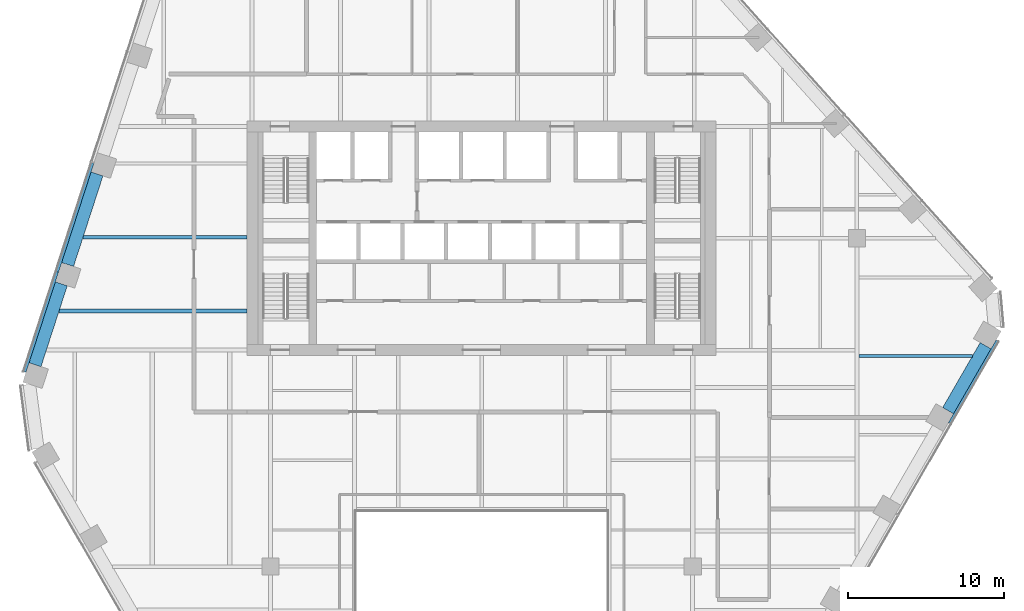
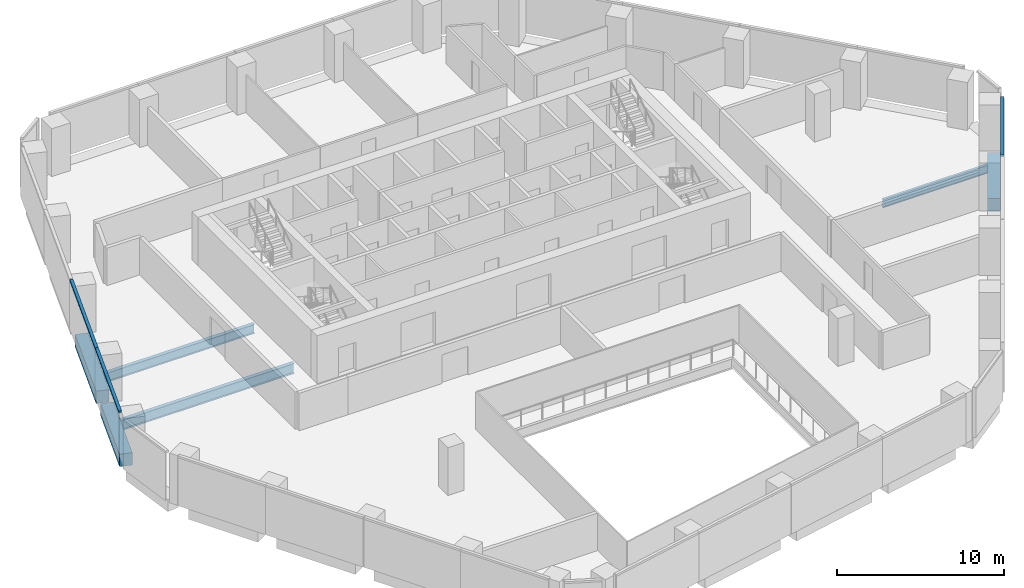
# One storey, part 6 of 16: 6 beams, 3 members, 2 elements without a shape of their own.
"""IFC4 building model written with IfcOpenShell, lengths in metres."""

from ifc_helpers import new_model, si_unit, direction, frame, origin, origin_2d, place, context, subcontext, project, spatial, rectangle, i_section, extrude, material, layer, layer_set, material_profile, profile_set, type_object, element, aggregate, save


model = new_model("IFC4")

# Units and contexts
model_context = context("Model", 3, precision=1e-05, world=origin(), true_north=direction((0.0, 1.0)))
body_context = subcontext(model_context, "Body", "Model", "MODEL_VIEW")
ifc_project = project(units=[si_unit("LENGTHUNIT", "METRE"), si_unit("AREAUNIT", "SQUARE_METRE"), si_unit("VOLUMEUNIT", "CUBIC_METRE"), si_unit("PLANEANGLEUNIT", "RADIAN"), si_unit("MASSUNIT", "GRAM", prefix="KILO")], contexts=[model_context])

# Site, building, storey
site_placement = place(None, origin())
site = spatial("IfcSite", under=ifc_project, at=site_placement, CompositionType="ELEMENT")
building_placement = place(site_placement, origin())
building = spatial("IfcBuilding", under=site, at=building_placement, Name="Isthmus Gate Tower", CompositionType="ELEMENT")
storey_placement = place(building_placement, frame((0.0, 0.0, 196.35009765625)))
storey = spatial("IfcBuildingStorey", under=building, at=storey_placement, Name="L49", CompositionType="ELEMENT", Elevation=196.35009765625)

# Curtain wall, members
ifc_material_1 = material(Name="Aluminium, pale champagne anodised", Category="aluminium")
ifc_layer = layer(ifc_material_1, 0.199951171875)
ifc_layer_set = layer_set([ifc_layer], Name="CW-1 UNITISED CURTAIN WALL 200 DEEP")
curtain_wall_type = type_object("IfcCurtainWallType", Name="CW-1 UNITISED CURTAIN WALL 200 DEEP", PredefinedType="NOTDEFINED", material=ifc_layer_set)
curtain_wall_1_placement = place(storey_placement, origin())
curtain_wall_1 = element("IfcCurtainWall", 1, at=curtain_wall_1_placement, inside=storey, type_object=curtain_wall_type, Name="CW-1 NW L49", PredefinedType="NOTDEFINED")
ifc_material_2 = material(Name="Aluminium, pale champagne anodised", Category="aluminium")
ifc_material_profile_1 = material_profile(ifc_material_2, rectangle(XDim=0.199951171875, YDim=0.139892578125, at=origin_2d()), Name="200x140")
ifc_profile_set_1 = profile_set([ifc_material_profile_1], Name="Aluminium, pale champagne anodised")
member_type = type_object("IfcMemberType", Name="CW-1 TRANSOM 200 X 140", PredefinedType="USERDEFINED", material=ifc_profile_set_1)
member_1_placement = place(storey_placement, frame((-24.896240234375, 12.33056640625, 3.579833984375), z_axis=(-0.309025074527, -0.951053890857, 0.0), x_axis=(0.951053890857, -0.309025074527, 0.0)))
member_1 = element("IfcMember", 2, at=member_1_placement, type_object=member_type, Name="CW-1 transom", ObjectType="TRANSOM", PredefinedType="USERDEFINED", context=body_context, shape_type="SweptSolid", body=[
    extrude(rectangle(XDim=0.199951171875, YDim=0.139892578125, at=origin_2d()), origin(), (0.0, 0.0, 1.0), 7.330810546875),
])
member_2_placement = place(storey_placement, frame((-27.16162109375, 5.358642578125, 3.579833984375), z_axis=(-0.309014822289, -0.951057222046, 0.0), x_axis=(0.951057222046, -0.309014822289, 0.0)))
member_2 = element("IfcMember", 3, at=member_2_placement, type_object=member_type, Name="CW-1 transom", ObjectType="TRANSOM", PredefinedType="USERDEFINED", context=body_context, shape_type="SweptSolid", body=[
    extrude(rectangle(XDim=0.199951171875, YDim=0.139892578125, at=origin_2d()), origin(), (0.0, 0.0, 1.0), 6.74072265625),
])
aggregate(curtain_wall_1, [member_1, member_2])

# Curtain wall, member
curtain_wall_2_placement = place(storey_placement, origin())
curtain_wall_2 = element("IfcCurtainWall", 4, at=curtain_wall_2_placement, inside=storey, type_object=curtain_wall_type, Name="CW-1 SE L49", PredefinedType="NOTDEFINED")
member_3_placement = place(storey_placement, frame((29.941162109375, -4.34033203125, 3.579833984375), z_axis=(0.499991521122, 0.866030299012, 0.0), x_axis=(-0.866030299012, 0.499991521122, 0.0)))
member_3 = element("IfcMember", 5, at=member_3_placement, type_object=member_type, Name="CW-1 transom", ObjectType="TRANSOM", PredefinedType="USERDEFINED", context=body_context, shape_type="SweptSolid", body=[
    extrude(rectangle(XDim=0.199951171875, YDim=0.139892578125, at=origin_2d()), origin(), (0.0, 0.0, 1.0), 6.10009765625),
])
aggregate(curtain_wall_2, [member_3])

# Beams
ifc_material_3 = material(Name="Concrete f'c 60 MPa", Category="concrete")
ifc_material_profile_2 = material_profile(ifc_material_3, rectangle(XDim=0.800048828125, YDim=0.89990234375, at=origin_2d()), Name="RC 800X900")
ifc_profile_set_2 = profile_set([ifc_material_profile_2], Name="Concrete f'c 60 MPa")
beam_type_1 = type_object("IfcBeamType", Name="RC SPANDREL 800 X 900", PredefinedType="SPANDREL", material=ifc_profile_set_2)
beam_1_placement = place(storey_placement, frame((32.2333984375, 0.629638671875, -0.4501953125), z_axis=(-0.500017431331, -0.866015339567, 0.0), x_axis=(0.866015339567, -0.500017431331, 0.0)))
element("IfcBeam", 6, at=beam_1_placement, inside=storey, type_object=beam_type_1, Name="str-spandrel-L49-06", PredefinedType="SPANDREL", context=body_context, shape_type="SweptSolid", body=[
    extrude(rectangle(XDim=0.800048828125, YDim=0.89990234375, at=origin_2d()), origin(), (0.0, 0.0, 1.0), 4.800048828125),
])
beam_2_placement = place(storey_placement, frame((-28.568115234375, -0.588623046875, -0.4501953125), z_axis=(0.308989680586, 0.95106539065, 0.0), x_axis=(-0.95106539065, 0.308989680586, 0.0)))
element("IfcBeam", 7, at=beam_2_placement, inside=storey, type_object=beam_type_1, Name="str-spandrel-L49-21", PredefinedType="SPANDREL", context=body_context, shape_type="SweptSolid", body=[
    extrude(rectangle(XDim=0.800048828125, YDim=0.89990234375, at=origin_2d()), origin(), (0.0, 0.0, 1.0), 5.44091796875),
])
beam_3_placement = place(storey_placement, frame((-26.485107421875, 5.822265625, -0.4501953125), z_axis=(0.309003593002, 0.951060870561, 0.0), x_axis=(-0.951060870561, 0.309003593002, 0.0)))
element("IfcBeam", 8, at=beam_3_placement, inside=storey, type_object=beam_type_1, Name="str-spandrel-L49-22", PredefinedType="SPANDREL", context=body_context, shape_type="SweptSolid", body=[
    extrude(rectangle(XDim=0.800048828125, YDim=0.89990234375, at=origin_2d()), origin(), (0.0, 0.0, 1.0), 6.0908203125),
])
ifc_material_4 = material(Name="Structural steel ASTM A992 Gr 50", Category="steel")
ifc_material_profile_3 = material_profile(ifc_material_4, i_section(OverallWidth=0.177734375, OverallDepth=0.60009765625, WebThickness=0.009521484375, FlangeThickness=0.0126953125, at=origin_2d()), Name="W24X55")
ifc_profile_set_3 = profile_set([ifc_material_profile_3], Name="Structural steel ASTM A992 Gr 50")
beam_type_2 = type_object("IfcBeamType", Name="STEEL FLOOR BEAM W24X55", PredefinedType="JOIST", material=ifc_profile_set_3)
beam_4_placement = place(storey_placement, frame((24.13330078125, -0.037353515625, -0.4501953125), z_axis=(1.0, 0.0, 0.0), x_axis=(0.0, 1.0, 0.0)))
element("IfcBeam", 9, at=beam_4_placement, inside=storey, type_object=beam_type_2, Name="str-beam-L49-16-01", PredefinedType="JOIST", context=body_context, shape_type="SweptSolid", body=[
    extrude(i_section(OverallWidth=0.177734375, OverallDepth=0.60009765625, WebThickness=0.009521484375, FlangeThickness=0.0126953125, at=origin_2d()), origin(), (0.0, 0.0, 1.0), 7.2529296875),
])
ifc_material_5 = material(Name="Structural steel ASTM A992 Gr 50", Category="steel")
ifc_material_profile_4 = material_profile(ifc_material_5, i_section(OverallWidth=0.25390625, OverallDepth=0.679443359375, WebThickness=0.010986328125, FlangeThickness=0.015869140625, at=origin_2d()), Name="W27X84")
ifc_profile_set_4 = profile_set([ifc_material_profile_4], Name="Structural steel ASTM A992 Gr 50")
beam_type_3 = type_object("IfcBeamType", Name="STEEL FLOOR BEAM W27X84", PredefinedType="JOIST", material=ifc_profile_set_4)
beam_5_placement = place(storey_placement, frame((-25.498046875, 7.56591796875, -0.48974609375), z_axis=(1.0, 0.0, 0.0), x_axis=(0.0, 1.0, 0.0)))
element("IfcBeam", 10, at=beam_5_placement, inside=storey, type_object=beam_type_3, Name="str-beam-L49-01-01", PredefinedType="JOIST", context=body_context, shape_type="SweptSolid", body=[
    extrude(i_section(OverallWidth=0.25390625, OverallDepth=0.679443359375, WebThickness=0.010986328125, FlangeThickness=0.015869140625, at=origin_2d()), origin(), (0.0, 0.0, 1.0), 10.498046875),
])
ifc_material_6 = material(Name="Structural steel ASTM A992 Gr 50", Category="steel")
ifc_material_profile_5 = material_profile(ifc_material_6, i_section(OverallWidth=0.263427734375, OverallDepth=0.749267578125, WebThickness=0.0126953125, FlangeThickness=0.015869140625, at=origin_2d()), Name="W30X90")
ifc_profile_set_5 = profile_set([ifc_material_profile_5], Name="Structural steel ASTM A992 Gr 50")
beam_type_4 = type_object("IfcBeamType", Name="STEEL FLOOR BEAM W30X90", PredefinedType="JOIST", material=ifc_profile_set_5)
beam_6_placement = place(storey_placement, frame((-27.03271484375, 2.843017578125, -0.524658203125), z_axis=(1.0, 0.0, 0.0), x_axis=(0.0, 1.0, 0.0)))
element("IfcBeam", 11, at=beam_6_placement, inside=storey, type_object=beam_type_4, Name="str-beam-L49-01-00", PredefinedType="JOIST", context=body_context, shape_type="SweptSolid", body=[
    extrude(i_section(OverallWidth=0.263427734375, OverallDepth=0.749267578125, WebThickness=0.0126953125, FlangeThickness=0.015869140625, at=origin_2d()), origin(), (0.0, 0.0, 1.0), 12.03271484375),
])

save(model, "model.ifc")
